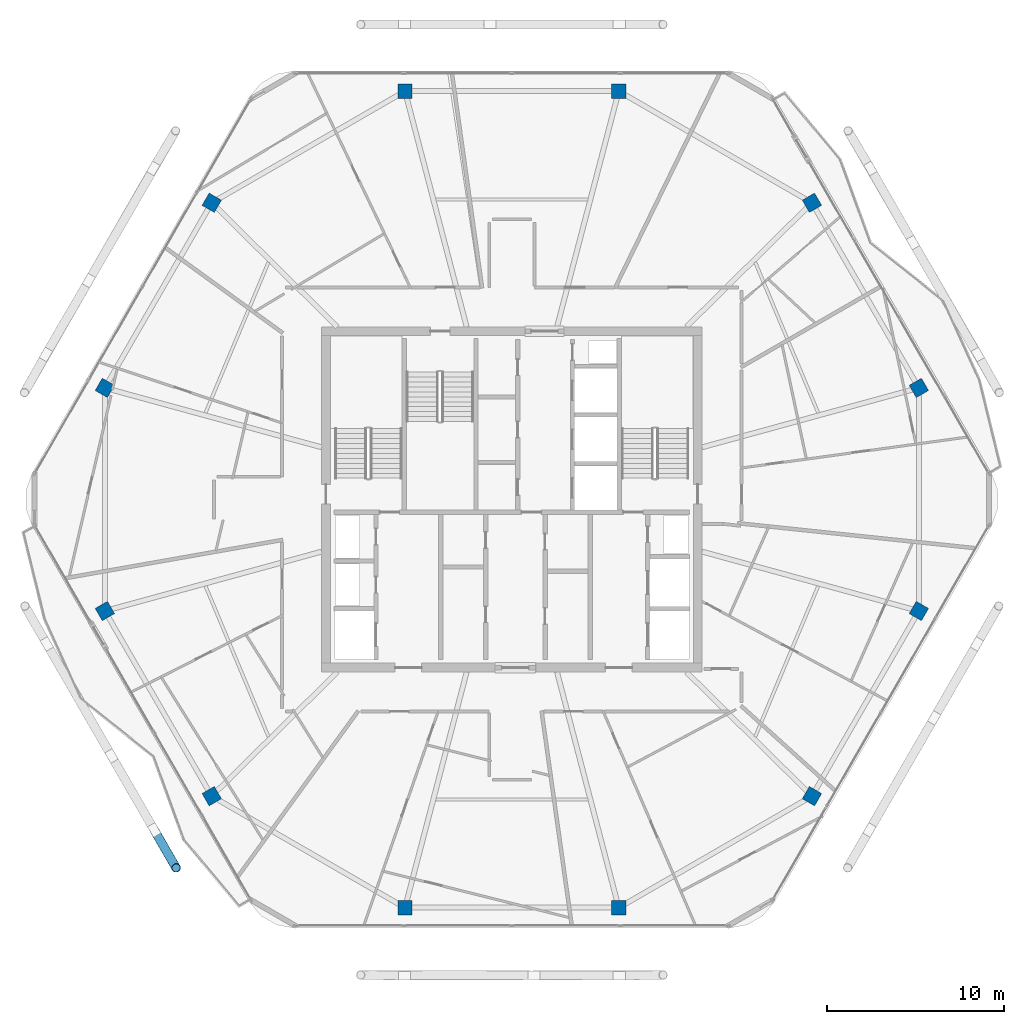
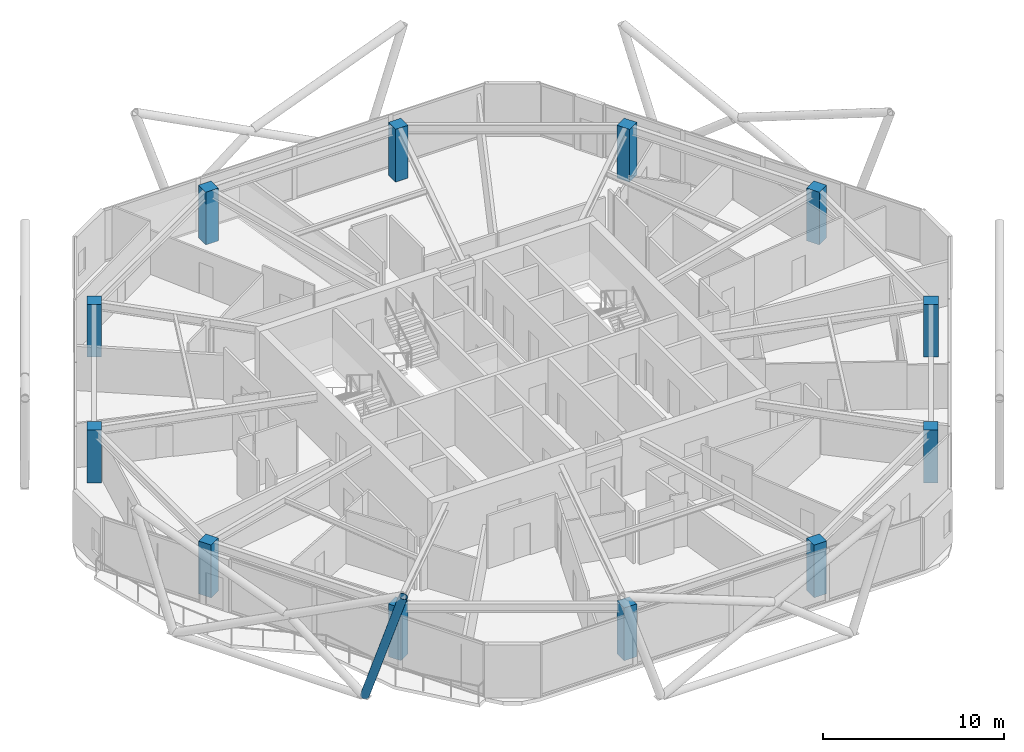
# One storey, part 1 of 24: 12 columns, 1 member.
"""IFC4 building model written with IfcOpenShell, lengths in metres."""

from ifc_helpers import new_model, si_unit, direction, frame, origin, origin_2d, place, context, subcontext, project, spatial, rectangle, hollow_circle, extrude, material, material_profile, profile_set, type_object, element, save


model = new_model("IFC4")

# Units and contexts
model_context = context("Model", 3, precision=1e-05, world=origin(), true_north=direction((0.0, 1.0)))
body_context = subcontext(model_context, "Body", "Model", "MODEL_VIEW")
ifc_project = project(units=[si_unit("LENGTHUNIT", "METRE"), si_unit("AREAUNIT", "SQUARE_METRE"), si_unit("VOLUMEUNIT", "CUBIC_METRE"), si_unit("PLANEANGLEUNIT", "RADIAN"), si_unit("MASSUNIT", "GRAM", prefix="KILO")], contexts=[model_context])

# Site, building, storey
site_placement = place(None, origin())
site = spatial("IfcSite", under=ifc_project, at=site_placement, CompositionType="ELEMENT")
building_placement = place(site_placement, origin())
building = spatial("IfcBuilding", under=site, at=building_placement, Name="Zuhravey Tower", CompositionType="ELEMENT")
storey_placement = place(building_placement, frame((0.0, 0.0, 308.199951171875)))
storey = spatial("IfcBuildingStorey", under=building, at=storey_placement, Name="L78", CompositionType="ELEMENT", Elevation=308.199951171875)

# Columns
ifc_material_1 = material(Name="Concrete C50/60", Category="concrete")
ifc_material_profile_1 = material_profile(ifc_material_1, rectangle(XDim=0.800048828125, YDim=0.800048828125, at=origin_2d()), Name="RC-800x800")
ifc_profile_set_1 = profile_set([ifc_material_profile_1], Name="Concrete C50/60")
column_type = type_object("IfcColumnType", Name="Zone 4 Perimeter Column 800x800", PredefinedType="COLUMN", material=ifc_profile_set_1)
for number, where, z_axis, x_axis, name in (
    (1, (58.993408203125, 38.302490234375, 0.0), (0.0, 0.0, 1.0), (-0.5, 0.866025403784, 0.0), "L78 Perimeter Column PC01"),
    (2, (52.95458984375, 48.76171875, 0.0), (0.0, 0.0, 1.0), (-0.5, 0.866025403784, 0.0), "L78 Perimeter Column PC02"),
    (3, (42.038818359375, 55.064208984375, 0.0), (0.0, 0.0, 1.0), (-1.0, 0.0, 0.0), "L78 Perimeter Column PC03"),
    (4, (29.961181640625, 55.064208984375, 0.0), (0.0, 0.0, 1.0), (-1.0, 0.0, 0.0), "L78 Perimeter Column PC04"),
    (5, (19.04541015625, 48.76171875, 0.0), (0.0, 0.0, 1.0), (-0.5, -0.866025403784, 0.0), "L78 Perimeter Column PC05"),
    (6, (13.006591796875, 38.302490234375, 0.0), (0.0, 0.0, 1.0), (-0.5, -0.866025403784, 0.0), "L78 Perimeter Column PC06"),
    (7, (13.006591796875, 25.697509765625, 0.0), (0.0, 0.0, 1.0), (0.5, -0.866025403784, 0.0), "L78 Perimeter Column PC07"),
    (8, (19.04541015625, 15.23828125, 0.0), (0.0, 0.0, 1.0), (0.5, -0.866025403784, 0.0), "L78 Perimeter Column PC08"),
    (9, (29.961181640625, 8.935791015625, 0.0), (0.0, 0.0, 1.0), (1.0, 0.0, 0.0), "L78 Perimeter Column PC09"),
    (10, (42.038818359375, 8.935791015625, 0.0), (0.0, 0.0, 1.0), (1.0, 0.0, 0.0), "L78 Perimeter Column PC10"),
    (11, (52.95458984375, 15.23828125, 0.0), (0.0, 0.0, 1.0), (0.5, 0.866025403784, 0.0), "L78 Perimeter Column PC11"),
    (12, (58.993408203125, 25.697509765625, 0.0), (0.0, 0.0, 1.0), (0.5, 0.866025403784, 0.0), "L78 Perimeter Column PC12"),
):
    element("IfcColumn", number, at=place(storey_placement, frame(where, z_axis=z_axis, x_axis=x_axis)), inside=storey, type_object=column_type, Name=name, PredefinedType="COLUMN", context=body_context, shape_type="SweptSolid", body=[
        extrude(rectangle(XDim=0.800048828125, YDim=0.800048828125, at=origin_2d()), origin(), (0.0, 0.0, 1.0), 3.550048828125),
    ])

# Member
ifc_material_2 = material(Name="Steel SM355", Category="steel")
ifc_material_profile_2 = material_profile(ifc_material_2, hollow_circle(Radius=0.25390625, WallThickness=0.02490234375, at=origin_2d()), Name="CHS-508.0x25")
ifc_profile_set_2 = profile_set([ifc_material_profile_2], Name="Steel SM355")
member_type = type_object("IfcMemberType", Name="Exoskeleton Zone 4 Diagrid CHS508x25", PredefinedType="BRACE", material=ifc_profile_set_2)
member_placement = place(storey_placement, frame((15.79736328125, 13.323974609375, -0.447998046875), z_axis=(0.155226445416, -0.268871093126, 0.950585654176), x_axis=(0.866034263809, 0.499984653673, 0.0)))
element("IfcMember", 13, at=member_placement, inside=storey, type_object=member_type, Name="L78 Face 4 Diagrid Brace 4", PredefinedType="BRACE", context=body_context, shape_type="SweptSolid", body=[
    extrude(hollow_circle(Radius=0.25390625, WallThickness=0.02490234375, at=origin_2d()), origin(), (0.0, 0.0, 1.0), 7.96142578125),
])

save(model, "model.ifc")
